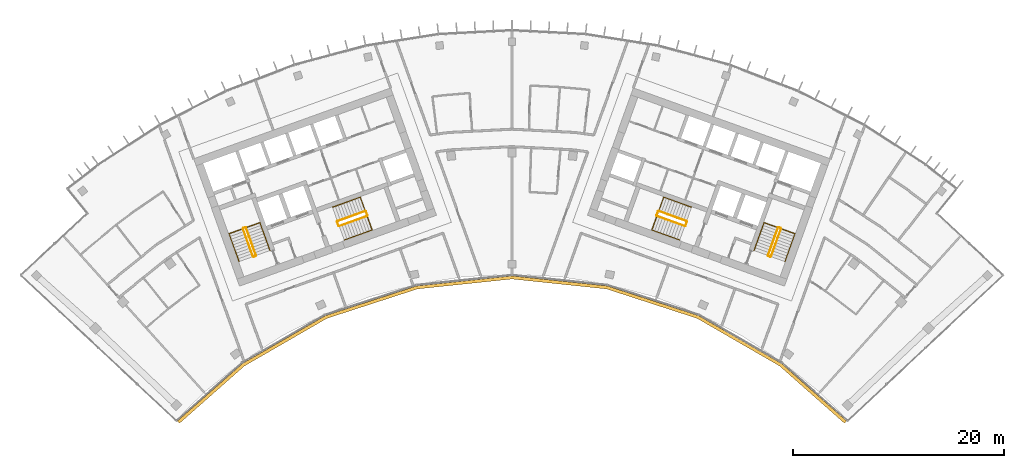
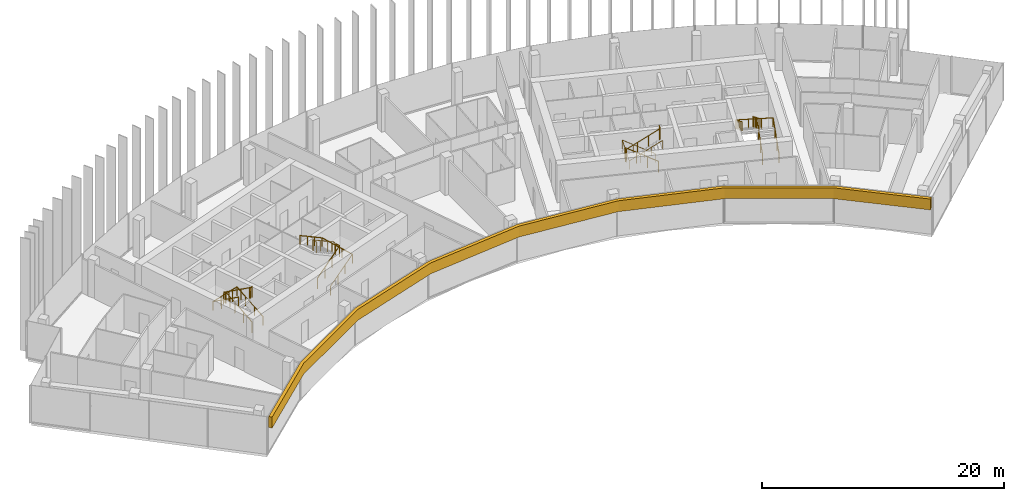
# One storey, part 19 of 19: 12 railings, 1 covering.
"""IFC4 building model written with IfcOpenShell, lengths in metres."""

from ifc_helpers import new_model, si_unit, direction, frame, origin, origin_2d, place, context, subcontext, project, spatial, polyline, circle, outline, extrude, material, layer, layer_set, type_object, element, save


model = new_model("IFC4")

# Units and contexts
model_context = context("Model", 3, precision=1e-05, world=origin(), true_north=direction((0.0, 1.0)))
body_context = subcontext(model_context, "Body", "Model", "MODEL_VIEW")
ifc_project = project(units=[si_unit("LENGTHUNIT", "METRE"), si_unit("AREAUNIT", "SQUARE_METRE"), si_unit("VOLUMEUNIT", "CUBIC_METRE"), si_unit("PLANEANGLEUNIT", "RADIAN"), si_unit("MASSUNIT", "GRAM", prefix="KILO")], contexts=[model_context])

# Site, building, storey
site_placement = place(None, origin())
site = spatial("IfcSite", under=ifc_project, at=site_placement, CompositionType="ELEMENT")
building_placement = place(site_placement, origin())
building = spatial("IfcBuilding", under=site, at=building_placement, Name="Stone Belt Terrace Tower", CompositionType="ELEMENT")
storey_placement = place(building_placement, frame((0.0, 0.0, 280.800048828125)))
storey = spatial("IfcBuildingStorey", under=building, at=storey_placement, Name="L68", CompositionType="ELEMENT", Elevation=280.800048828125)

# Railings
ifc_material_1 = material(Name="Structural steel C345", Category="steel")
railing_type_1 = type_object("IfcRailingType", Name="Stair guard 1100", PredefinedType="GUARDRAIL", material=ifc_material_1)
railing_1_placement = place(storey_placement, frame((-24.2119140625, 45.276123046875, 0.172607421875)))
element("IfcRailing", 1, at=railing_1_placement, inside=storey, type_object=railing_type_1, Name="L68 ST1A stair guard 1", PredefinedType="GUARDRAIL", context=body_context, shape_type="SweptSolid", body=[
    extrude(circle(Radius=0.02392578125, at=origin_2d()), frame((0.0, 0.0, 1.076171875), z_axis=(-0.288228637646, 0.800791768495, 0.525030280985), x_axis=(-0.940908529223, -0.338660803216, 0.0)), (0.0, 0.0, 1.0), 3.289794921875),
    extrude(circle(Radius=0.02392578125, at=origin_2d()), frame((-0.9482421875, 2.634521484375, 2.80322265625), z_axis=(-0.905209821074, 0.424964916, 0.0), x_axis=(-0.424964916, -0.905209821074, 0.0)), (0.0, 0.0, 1.0), 0.070556640625),
    extrude(circle(Radius=0.02392578125, at=origin_2d()), frame((-1.01220703125, 2.66455078125, 2.80322265625), z_axis=(-0.941105063269, -0.338114270461, 0.0), x_axis=(0.338114270461, -0.941105063269, 0.0)), (0.0, 0.0, 1.0), 0.199951171875),
    extrude(circle(Radius=0.02099609375, at=origin_2d()), origin(), (0.0, 0.0, 1.0), 1.052001953125),
    extrude(circle(Radius=0.02099609375, at=origin_2d()), frame((-0.316162109375, 0.878173828125, 0.57568359375)), (0.0, 0.0, 1.0), 1.052001953125),
    extrude(circle(Radius=0.02099609375, at=origin_2d()), frame((-0.632080078125, 1.75634765625, 1.151611328125)), (0.0, 0.0, 1.0), 1.052001953125),
    extrude(circle(Radius=0.02099609375, at=origin_2d()), frame((-0.9482421875, 2.634521484375, 1.727294921875)), (0.0, 0.0, 1.0), 1.052001953125),
    extrude(circle(Radius=0.02099609375, at=origin_2d()), frame((-1.01220703125, 2.66455078125, 1.727294921875)), (0.0, 0.0, 1.0), 1.052001953125),
    extrude(circle(Radius=0.02099609375, at=origin_2d()), frame((-1.200439453125, 2.596923828125, 1.727294921875)), (0.0, 0.0, 1.0), 1.052001953125),
])
railing_2_placement = place(storey_placement, frame((-25.4423828125, 47.80908203125, 2.07275390625)))
element("IfcRailing", 2, at=railing_2_placement, inside=storey, type_object=railing_type_1, Name="L68 ST1A stair guard 2", PredefinedType="GUARDRAIL", context=body_context, shape_type="SweptSolid", body=[
    extrude(circle(Radius=0.02392578125, at=origin_2d()), frame((0.0, 0.0, 1.076171875), z_axis=(0.288228637646, -0.800791768495, 0.525030280985), x_axis=(0.940908529223, 0.338660803216, 0.0)), (0.0, 0.0, 1.0), 3.289794921875),
    extrude(circle(Radius=0.02392578125, at=origin_2d()), frame((0.9482421875, -2.634521484375, 2.80322265625), z_axis=(0.903878284585, -0.427789722475, 0.0), x_axis=(0.427789722475, 0.903878284585, 0.0)), (0.0, 0.0, 1.0), 0.07080078125),
    extrude(circle(Radius=0.02392578125, at=origin_2d()), frame((1.01220703125, -2.664794921875, 2.80322265625), z_axis=(0.940575576748, 0.339584429008, 0.0), x_axis=(-0.339584429008, 0.940575576748, 0.0)), (0.0, 0.0, 1.0), 0.199951171875),
    extrude(circle(Radius=0.02099609375, at=origin_2d()), origin(), (0.0, 0.0, 1.0), 1.052001953125),
    extrude(circle(Radius=0.02099609375, at=origin_2d()), frame((0.316162109375, -0.878173828125, 0.57568359375)), (0.0, 0.0, 1.0), 1.052001953125),
    extrude(circle(Radius=0.02099609375, at=origin_2d()), frame((0.632080078125, -1.75634765625, 1.151611328125)), (0.0, 0.0, 1.0), 1.052001953125),
    extrude(circle(Radius=0.02099609375, at=origin_2d()), frame((0.9482421875, -2.634521484375, 1.727294921875)), (0.0, 0.0, 1.0), 1.052001953125),
    extrude(circle(Radius=0.02099609375, at=origin_2d()), frame((1.01220703125, -2.664794921875, 1.727294921875)), (0.0, 0.0, 1.0), 1.052001953125),
    extrude(circle(Radius=0.02099609375, at=origin_2d()), frame((1.2001953125, -2.596923828125, 1.727294921875)), (0.0, 0.0, 1.0), 1.052001953125),
])
railing_3_placement = place(storey_placement, frame((-16.33837890625, 48.056640625, 0.172607421875)))
element("IfcRailing", 3, at=railing_3_placement, inside=storey, type_object=railing_type_1, Name="L68 ST2A stair guard 1", PredefinedType="GUARDRAIL", context=body_context, shape_type="SweptSolid", body=[
    extrude(circle(Radius=0.02392578125, at=origin_2d()), frame((0.0, 0.0, 1.076171875), z_axis=(0.800808895155, 0.288160591223, 0.52504150989), x_axis=(-0.338583606334, 0.940936311087, 0.0)), (0.0, 0.0, 1.0), 3.289794921875),
    extrude(circle(Radius=0.02392578125, at=origin_2d()), frame((2.634521484375, 0.947998046875, 2.80322265625), z_axis=(0.427789722475, 0.903878284585, 0.0), x_axis=(-0.903878284585, 0.427789722475, 0.0)), (0.0, 0.0, 1.0), 0.07080078125),
    extrude(circle(Radius=0.02392578125, at=origin_2d()), frame((2.664794921875, 1.011962890625, 2.80322265625), z_axis=(-0.338654645739, 0.940910745459, 0.0), x_axis=(-0.940910745459, -0.338654645739, 0.0)), (0.0, 0.0, 1.0), 0.400146484375),
    extrude(circle(Radius=0.02099609375, at=origin_2d()), origin(), (0.0, 0.0, 1.0), 1.052001953125),
    extrude(circle(Radius=0.02099609375, at=origin_2d()), frame((0.878173828125, 0.31591796875, 0.57568359375)), (0.0, 0.0, 1.0), 1.052001953125),
    extrude(circle(Radius=0.02099609375, at=origin_2d()), frame((1.75634765625, 0.632080078125, 1.151611328125)), (0.0, 0.0, 1.0), 1.052001953125),
    extrude(circle(Radius=0.02099609375, at=origin_2d()), frame((2.634521484375, 0.947998046875, 1.727294921875)), (0.0, 0.0, 1.0), 1.052001953125),
    extrude(circle(Radius=0.02099609375, at=origin_2d()), frame((2.664794921875, 1.011962890625, 1.727294921875)), (0.0, 0.0, 1.0), 1.052001953125),
    extrude(circle(Radius=0.02099609375, at=origin_2d()), frame((2.529296875, 1.388427734375, 1.727294921875)), (0.0, 0.0, 1.0), 1.052001953125),
])
railing_4_placement = place(storey_placement, frame((-13.873046875, 49.47509765625, 2.07275390625)))
element("IfcRailing", 4, at=railing_4_placement, inside=storey, type_object=railing_type_1, Name="L68 ST2A stair guard 2", PredefinedType="GUARDRAIL", context=body_context, shape_type="SweptSolid", body=[
    extrude(circle(Radius=0.02392578125, at=origin_2d()), frame((0.0, 0.0, 1.076171875), z_axis=(-0.800808895155, -0.288160591223, 0.52504150989), x_axis=(0.338583606334, -0.940936311087, 0.0)), (0.0, 0.0, 1.0), 3.289794921875),
    extrude(circle(Radius=0.02392578125, at=origin_2d()), frame((-2.634521484375, -0.947998046875, 2.80322265625), z_axis=(-0.427789722475, -0.903878284585, 0.0), x_axis=(0.903878284585, -0.427789722475, 0.0)), (0.0, 0.0, 1.0), 0.07080078125),
    extrude(circle(Radius=0.02392578125, at=origin_2d()), frame((-2.664794921875, -1.011962890625, 2.80322265625), z_axis=(0.338654645739, -0.940910745459, 0.0), x_axis=(0.940910745459, 0.338654645739, 0.0)), (0.0, 0.0, 1.0), 0.400146484375),
    extrude(circle(Radius=0.02099609375, at=origin_2d()), origin(), (0.0, 0.0, 1.0), 1.052001953125),
    extrude(circle(Radius=0.02099609375, at=origin_2d()), frame((-0.878173828125, -0.31591796875, 0.57568359375)), (0.0, 0.0, 1.0), 1.052001953125),
    extrude(circle(Radius=0.02099609375, at=origin_2d()), frame((-1.75634765625, -0.632080078125, 1.151611328125)), (0.0, 0.0, 1.0), 1.052001953125),
    extrude(circle(Radius=0.02099609375, at=origin_2d()), frame((-2.634521484375, -0.947998046875, 1.727294921875)), (0.0, 0.0, 1.0), 1.052001953125),
    extrude(circle(Radius=0.02099609375, at=origin_2d()), frame((-2.664794921875, -1.011962890625, 1.727294921875)), (0.0, 0.0, 1.0), 1.052001953125),
    extrude(circle(Radius=0.02099609375, at=origin_2d()), frame((-2.529296875, -1.388427734375, 1.727294921875)), (0.0, 0.0, 1.0), 1.052001953125),
])
railing_5_placement = place(storey_placement, frame((24.494140625, 45.174560546875, 0.172607421875)))
element("IfcRailing", 5, at=railing_5_placement, inside=storey, type_object=railing_type_1, Name="L68 ST1B stair guard 1", PredefinedType="GUARDRAIL", context=body_context, shape_type="SweptSolid", body=[
    extrude(circle(Radius=0.02392578125, at=origin_2d()), frame((0.0, 0.0, 1.076171875), z_axis=(0.288228637646, 0.800791768495, 0.525030280985), x_axis=(-0.940908529223, 0.338660803216, 0.0)), (0.0, 0.0, 1.0), 3.289794921875),
    extrude(circle(Radius=0.02392578125, at=origin_2d()), frame((0.9482421875, 2.634521484375, 2.80322265625), z_axis=(-0.424964916, 0.905209821074, 0.0), x_axis=(-0.905209821074, -0.424964916, 0.0)), (0.0, 0.0, 1.0), 0.070556640625),
    extrude(circle(Radius=0.02392578125, at=origin_2d()), frame((0.918212890625, 2.698486328125, 2.80322265625), z_axis=(-0.941105063269, 0.338114270461, 0.0), x_axis=(-0.338114270461, -0.941105063269, 0.0)), (0.0, 0.0, 1.0), 0.199951171875),
    extrude(circle(Radius=0.02099609375, at=origin_2d()), origin(), (0.0, 0.0, 1.0), 1.052001953125),
    extrude(circle(Radius=0.02099609375, at=origin_2d()), frame((0.316162109375, 0.878173828125, 0.57568359375)), (0.0, 0.0, 1.0), 1.052001953125),
    extrude(circle(Radius=0.02099609375, at=origin_2d()), frame((0.632080078125, 1.75634765625, 1.151611328125)), (0.0, 0.0, 1.0), 1.052001953125),
    extrude(circle(Radius=0.02099609375, at=origin_2d()), frame((0.9482421875, 2.634521484375, 1.727294921875)), (0.0, 0.0, 1.0), 1.052001953125),
    extrude(circle(Radius=0.02099609375, at=origin_2d()), frame((0.918212890625, 2.698486328125, 1.727294921875)), (0.0, 0.0, 1.0), 1.052001953125),
    extrude(circle(Radius=0.02099609375, at=origin_2d()), frame((0.72998046875, 2.76611328125, 1.727294921875)), (0.0, 0.0, 1.0), 1.052001953125),
])
railing_6_placement = place(storey_placement, frame((25.16015625, 47.91064453125, 2.07275390625)))
element("IfcRailing", 6, at=railing_6_placement, inside=storey, type_object=railing_type_1, Name="L68 ST1B stair guard 2", PredefinedType="GUARDRAIL", context=body_context, shape_type="SweptSolid", body=[
    extrude(circle(Radius=0.02392578125, at=origin_2d()), frame((0.0, 0.0, 1.076171875), z_axis=(-0.288228637646, -0.800791768495, 0.525030280985), x_axis=(0.940908529223, -0.338660803216, 0.0)), (0.0, 0.0, 1.0), 3.289794921875),
    extrude(circle(Radius=0.02392578125, at=origin_2d()), frame((-0.9482421875, -2.634521484375, 2.80322265625), z_axis=(0.427789722475, -0.903878284585, 0.0), x_axis=(0.903878284585, 0.427789722475, 0.0)), (0.0, 0.0, 1.0), 0.07080078125),
    extrude(circle(Radius=0.02392578125, at=origin_2d()), frame((-0.91796875, -2.698486328125, 2.80322265625), z_axis=(0.940575576748, -0.339584429008, 0.0), x_axis=(0.339584429008, 0.940575576748, 0.0)), (0.0, 0.0, 1.0), 0.199951171875),
    extrude(circle(Radius=0.02099609375, at=origin_2d()), origin(), (0.0, 0.0, 1.0), 1.052001953125),
    extrude(circle(Radius=0.02099609375, at=origin_2d()), frame((-0.316162109375, -0.878173828125, 0.57568359375)), (0.0, 0.0, 1.0), 1.052001953125),
    extrude(circle(Radius=0.02099609375, at=origin_2d()), frame((-0.632080078125, -1.75634765625, 1.151611328125)), (0.0, 0.0, 1.0), 1.052001953125),
    extrude(circle(Radius=0.02099609375, at=origin_2d()), frame((-0.9482421875, -2.634521484375, 1.727294921875)), (0.0, 0.0, 1.0), 1.052001953125),
    extrude(circle(Radius=0.02099609375, at=origin_2d()), frame((-0.91796875, -2.698486328125, 1.727294921875)), (0.0, 0.0, 1.0), 1.052001953125),
    extrude(circle(Radius=0.02099609375, at=origin_2d()), frame((-0.72998046875, -2.766357421875, 1.727294921875)), (0.0, 0.0, 1.0), 1.052001953125),
])
railing_7_placement = place(storey_placement, frame((16.507568359375, 48.527099609375, 0.172607421875)))
element("IfcRailing", 7, at=railing_7_placement, inside=storey, type_object=railing_type_1, Name="L68 ST2B stair guard 1", PredefinedType="GUARDRAIL", context=body_context, shape_type="SweptSolid", body=[
    extrude(circle(Radius=0.02392578125, at=origin_2d()), frame((0.0, 0.0, 1.076171875), z_axis=(-0.800808895155, 0.288160591223, 0.52504150989), x_axis=(-0.338583606334, -0.940936311087, 0.0)), (0.0, 0.0, 1.0), 3.289794921875),
    extrude(circle(Radius=0.02392578125, at=origin_2d()), frame((-2.634521484375, 0.947998046875, 2.80322265625), z_axis=(-0.905209821074, -0.424964916, 0.0), x_axis=(0.424964916, -0.905209821074, 0.0)), (0.0, 0.0, 1.0), 0.070556640625),
    extrude(circle(Radius=0.02392578125, at=origin_2d()), frame((-2.698486328125, 0.91796875, 2.80322265625), z_axis=(-0.338654645739, -0.940910745459, 0.0), x_axis=(0.940910745459, -0.338654645739, 0.0)), (0.0, 0.0, 1.0), 0.400146484375),
    extrude(circle(Radius=0.02099609375, at=origin_2d()), origin(), (0.0, 0.0, 1.0), 1.052001953125),
    extrude(circle(Radius=0.02099609375, at=origin_2d()), frame((-0.878173828125, 0.31591796875, 0.57568359375)), (0.0, 0.0, 1.0), 1.052001953125),
    extrude(circle(Radius=0.02099609375, at=origin_2d()), frame((-1.75634765625, 0.632080078125, 1.151611328125)), (0.0, 0.0, 1.0), 1.052001953125),
    extrude(circle(Radius=0.02099609375, at=origin_2d()), frame((-2.634521484375, 0.947998046875, 1.727294921875)), (0.0, 0.0, 1.0), 1.052001953125),
    extrude(circle(Radius=0.02099609375, at=origin_2d()), frame((-2.698486328125, 0.91796875, 1.727294921875)), (0.0, 0.0, 1.0), 1.052001953125),
    extrude(circle(Radius=0.02099609375, at=origin_2d()), frame((-2.833984375, 0.54150390625, 1.727294921875)), (0.0, 0.0, 1.0), 1.052001953125),
])
railing_8_placement = place(storey_placement, frame((13.703857421875, 49.004638671875, 2.07275390625)))
element("IfcRailing", 8, at=railing_8_placement, inside=storey, type_object=railing_type_1, Name="L68 ST2B stair guard 2", PredefinedType="GUARDRAIL", context=body_context, shape_type="SweptSolid", body=[
    extrude(circle(Radius=0.02392578125, at=origin_2d()), frame((0.0, 0.0, 1.076171875), z_axis=(0.800808895155, -0.288160591223, 0.52504150989), x_axis=(0.338583606334, 0.940936311087, 0.0)), (0.0, 0.0, 1.0), 3.289794921875),
    extrude(circle(Radius=0.02392578125, at=origin_2d()), frame((2.634521484375, -0.947998046875, 2.80322265625), z_axis=(0.905209821074, 0.424964916, 0.0), x_axis=(-0.424964916, 0.905209821074, 0.0)), (0.0, 0.0, 1.0), 0.070556640625),
    extrude(circle(Radius=0.02392578125, at=origin_2d()), frame((2.698486328125, -0.91796875, 2.80322265625), z_axis=(0.338654645739, 0.940910745459, 0.0), x_axis=(-0.940910745459, 0.338654645739, 0.0)), (0.0, 0.0, 1.0), 0.400146484375),
    extrude(circle(Radius=0.02099609375, at=origin_2d()), origin(), (0.0, 0.0, 1.0), 1.052001953125),
    extrude(circle(Radius=0.02099609375, at=origin_2d()), frame((0.878173828125, -0.31591796875, 0.57568359375)), (0.0, 0.0, 1.0), 1.052001953125),
    extrude(circle(Radius=0.02099609375, at=origin_2d()), frame((1.75634765625, -0.632080078125, 1.151611328125)), (0.0, 0.0, 1.0), 1.052001953125),
    extrude(circle(Radius=0.02099609375, at=origin_2d()), frame((2.634521484375, -0.947998046875, 1.727294921875)), (0.0, 0.0, 1.0), 1.052001953125),
    extrude(circle(Radius=0.02099609375, at=origin_2d()), frame((2.698486328125, -0.91796875, 1.727294921875)), (0.0, 0.0, 1.0), 1.052001953125),
    extrude(circle(Radius=0.02099609375, at=origin_2d()), frame((2.833984375, -0.54150390625, 1.727294921875)), (0.0, 0.0, 1.0), 1.052001953125),
])
railing_type_2 = type_object("IfcRailingType", Name="Stair handrail 900", PredefinedType="HANDRAIL", material=ifc_material_1)
railing_9_placement = place(storey_placement, frame((-22.894775390625, 45.750244140625, 0.172607421875)))
element("IfcRailing", 9, at=railing_9_placement, inside=storey, type_object=railing_type_2, Name="L68 ST1A stair handrail 1", PredefinedType="HANDRAIL", context=body_context, shape_type="SweptSolid", body=[
    extrude(circle(Radius=0.02392578125, at=origin_2d()), frame((0.0, 0.0, 0.8759765625), z_axis=(-0.288160591223, 0.800808895155, 0.52504150989), x_axis=(-0.940936311087, -0.338583606334, 0.0)), (0.0, 0.0, 1.0), 3.289794921875),
    extrude(circle(Radius=0.02392578125, at=origin_2d()), frame((-0.947998046875, 2.634521484375, 2.60302734375), z_axis=(-0.939460408074, -0.338105101667, 0.055669398135), x_axis=(0.338630230244, -0.940919532779, 0.0)), (0.0, 0.0, 1.0), 3.10498046875),
    extrude(circle(Radius=0.02392578125, at=origin_2d()), frame((-3.864990234375, 1.584716796875, 2.77587890625), z_axis=(0.288228637646, -0.800791768495, 0.525030280985), x_axis=(0.940908529223, 0.338660803216, 0.0)), (0.0, 0.0, 1.0), 3.289794921875),
    extrude(circle(Radius=0.02099609375, at=origin_2d()), origin(), (0.0, 0.0, 1.0), 0.851806640625),
    extrude(circle(Radius=0.02099609375, at=origin_2d()), frame((-0.31591796875, 0.878173828125, 0.57568359375)), (0.0, 0.0, 1.0), 0.851806640625),
    extrude(circle(Radius=0.02099609375, at=origin_2d()), frame((-0.632080078125, 1.75634765625, 1.151611328125)), (0.0, 0.0, 1.0), 0.851806640625),
    extrude(circle(Radius=0.02099609375, at=origin_2d()), frame((-0.947998046875, 2.634521484375, 1.727294921875)), (0.0, 0.0, 1.0), 0.851806640625),
    extrude(circle(Radius=0.02099609375, at=origin_2d()), frame((-1.92041015625, 2.28466796875, 1.784912109375)), (0.0, 0.0, 1.0), 0.851806640625),
    extrude(circle(Radius=0.02099609375, at=origin_2d()), frame((-2.892578125, 1.9345703125, 1.842529296875)), (0.0, 0.0, 1.0), 0.851806640625),
    extrude(circle(Radius=0.02099609375, at=origin_2d()), frame((-3.864990234375, 1.584716796875, 1.900146484375)), (0.0, 0.0, 1.0), 0.851806640625),
    extrude(circle(Radius=0.02099609375, at=origin_2d()), frame((-3.548828125, 0.70654296875, 2.475830078125)), (0.0, 0.0, 1.0), 0.851806640625),
    extrude(circle(Radius=0.02099609375, at=origin_2d()), frame((-3.23291015625, -0.171630859375, 3.0517578125)), (0.0, 0.0, 1.0), 0.851806640625),
    extrude(circle(Radius=0.02099609375, at=origin_2d()), frame((-2.916748046875, -1.0498046875, 3.62744140625)), (0.0, 0.0, 1.0), 0.851806640625),
])
railing_10_placement = place(storey_placement, frame((-15.8642578125, 46.7392578125, 0.172607421875)))
element("IfcRailing", 10, at=railing_10_placement, inside=storey, type_object=railing_type_2, Name="L68 ST2A stair handrail 1", PredefinedType="HANDRAIL", context=body_context, shape_type="SweptSolid", body=[
    extrude(circle(Radius=0.02392578125, at=origin_2d()), frame((0.0, 0.0, 0.8759765625), z_axis=(0.800791768495, 0.288228637646, 0.525030280985), x_axis=(-0.338660803216, 0.940908529223, 0.0)), (0.0, 0.0, 1.0), 3.289794921875),
    extrude(circle(Radius=0.02392578125, at=origin_2d()), frame((2.634521484375, 0.9482421875, 2.60302734375), z_axis=(-0.338158948057, 0.939634149308, 0.052308615955), x_axis=(-0.940922302781, -0.338622533404, 0.0)), (0.0, 0.0, 1.0), 3.304443359375),
    extrude(circle(Radius=0.02392578125, at=origin_2d()), frame((1.51708984375, 4.05322265625, 2.77587890625), z_axis=(-0.800791768495, -0.288228637646, 0.525030280985), x_axis=(0.338660803216, -0.940908529223, 0.0)), (0.0, 0.0, 1.0), 3.289794921875),
    extrude(circle(Radius=0.02099609375, at=origin_2d()), origin(), (0.0, 0.0, 1.0), 0.851806640625),
    extrude(circle(Radius=0.02099609375, at=origin_2d()), frame((0.878173828125, 0.316162109375, 0.57568359375)), (0.0, 0.0, 1.0), 0.851806640625),
    extrude(circle(Radius=0.02099609375, at=origin_2d()), frame((1.75634765625, 0.632080078125, 1.151611328125)), (0.0, 0.0, 1.0), 0.851806640625),
    extrude(circle(Radius=0.02099609375, at=origin_2d()), frame((2.634521484375, 0.9482421875, 1.727294921875)), (0.0, 0.0, 1.0), 0.851806640625),
    extrude(circle(Radius=0.02099609375, at=origin_2d()), frame((2.261962890625, 1.983154296875, 1.784912109375)), (0.0, 0.0, 1.0), 0.851806640625),
    extrude(circle(Radius=0.02099609375, at=origin_2d()), frame((1.8896484375, 3.018310546875, 1.842529296875)), (0.0, 0.0, 1.0), 0.851806640625),
    extrude(circle(Radius=0.02099609375, at=origin_2d()), frame((1.51708984375, 4.05322265625, 1.900146484375)), (0.0, 0.0, 1.0), 0.851806640625),
    extrude(circle(Radius=0.02099609375, at=origin_2d()), frame((0.638916015625, 3.737060546875, 2.475830078125)), (0.0, 0.0, 1.0), 0.851806640625),
    extrude(circle(Radius=0.02099609375, at=origin_2d()), frame((-0.2392578125, 3.421142578125, 3.0517578125)), (0.0, 0.0, 1.0), 0.851806640625),
    extrude(circle(Radius=0.02099609375, at=origin_2d()), frame((-1.117431640625, 3.10498046875, 3.62744140625)), (0.0, 0.0, 1.0), 0.851806640625),
])
railing_11_placement = place(storey_placement, frame((25.8115234375, 44.700439453125, 0.172607421875)))
element("IfcRailing", 11, at=railing_11_placement, inside=storey, type_object=railing_type_2, Name="L68 ST1B stair handrail 1", PredefinedType="HANDRAIL", context=body_context, shape_type="SweptSolid", body=[
    extrude(circle(Radius=0.02392578125, at=origin_2d()), frame((0.0, 0.0, 0.8759765625), z_axis=(0.288228637646, 0.800791768495, 0.525030280985), x_axis=(-0.940908529223, 0.338660803216, 0.0)), (0.0, 0.0, 1.0), 3.289794921875),
    extrude(circle(Radius=0.02392578125, at=origin_2d()), frame((0.9482421875, 2.634521484375, 2.60302734375), z_axis=(-0.939460408074, 0.338105101667, 0.055669398135), x_axis=(-0.338630230244, -0.940919532779, 0.0)), (0.0, 0.0, 1.0), 3.10498046875),
    extrude(circle(Radius=0.02392578125, at=origin_2d()), frame((-1.96875, 3.684326171875, 2.77587890625), z_axis=(-0.288160591223, -0.800808895155, 0.52504150989), x_axis=(0.940936311087, -0.338583606334, 0.0)), (0.0, 0.0, 1.0), 3.289794921875),
    extrude(circle(Radius=0.02099609375, at=origin_2d()), origin(), (0.0, 0.0, 1.0), 0.851806640625),
    extrude(circle(Radius=0.02099609375, at=origin_2d()), frame((0.316162109375, 0.878173828125, 0.57568359375)), (0.0, 0.0, 1.0), 0.851806640625),
    extrude(circle(Radius=0.02099609375, at=origin_2d()), frame((0.632080078125, 1.75634765625, 1.151611328125)), (0.0, 0.0, 1.0), 0.851806640625),
    extrude(circle(Radius=0.02099609375, at=origin_2d()), frame((0.9482421875, 2.634521484375, 1.727294921875)), (0.0, 0.0, 1.0), 0.851806640625),
    extrude(circle(Radius=0.02099609375, at=origin_2d()), frame((-0.024169921875, 2.984375, 1.784912109375)), (0.0, 0.0, 1.0), 0.851806640625),
    extrude(circle(Radius=0.02099609375, at=origin_2d()), frame((-0.996337890625, 3.33447265625, 1.842529296875)), (0.0, 0.0, 1.0), 0.851806640625),
    extrude(circle(Radius=0.02099609375, at=origin_2d()), frame((-1.96875, 3.684326171875, 1.900146484375)), (0.0, 0.0, 1.0), 0.851806640625),
    extrude(circle(Radius=0.02099609375, at=origin_2d()), frame((-2.28466796875, 2.80615234375, 2.475830078125)), (0.0, 0.0, 1.0), 0.851806640625),
    extrude(circle(Radius=0.02099609375, at=origin_2d()), frame((-2.600830078125, 1.927978515625, 3.0517578125)), (0.0, 0.0, 1.0), 0.851806640625),
    extrude(circle(Radius=0.02099609375, at=origin_2d()), frame((-2.916748046875, 1.0498046875, 3.62744140625)), (0.0, 0.0, 1.0), 0.851806640625),
])
railing_12_placement = place(storey_placement, frame((16.981689453125, 49.84423828125, 0.172607421875)))
element("IfcRailing", 12, at=railing_12_placement, inside=storey, type_object=railing_type_2, Name="L68 ST2B stair handrail 1", PredefinedType="HANDRAIL", context=body_context, shape_type="SweptSolid", body=[
    extrude(circle(Radius=0.02392578125, at=origin_2d()), frame((0.0, 0.0, 0.8759765625), z_axis=(-0.800791768495, 0.288228637646, 0.525030280985), x_axis=(-0.338660803216, -0.940908529223, 0.0)), (0.0, 0.0, 1.0), 3.289794921875),
    extrude(circle(Radius=0.02392578125, at=origin_2d()), frame((-2.634521484375, 0.9482421875, 2.60302734375), z_axis=(-0.338158948057, -0.939634149308, 0.052308615955), x_axis=(0.940922302781, -0.338622533404, 0.0)), (0.0, 0.0, 1.0), 3.304443359375),
    extrude(circle(Radius=0.02392578125, at=origin_2d()), frame((-3.751953125, -2.15673828125, 2.77587890625), z_axis=(0.800791768495, -0.288228637646, 0.525030280985), x_axis=(0.338660803216, 0.940908529223, 0.0)), (0.0, 0.0, 1.0), 3.289794921875),
    extrude(circle(Radius=0.02099609375, at=origin_2d()), origin(), (0.0, 0.0, 1.0), 0.851806640625),
    extrude(circle(Radius=0.02099609375, at=origin_2d()), frame((-0.878173828125, 0.316162109375, 0.57568359375)), (0.0, 0.0, 1.0), 0.851806640625),
    extrude(circle(Radius=0.02099609375, at=origin_2d()), frame((-1.75634765625, 0.632080078125, 1.151611328125)), (0.0, 0.0, 1.0), 0.851806640625),
    extrude(circle(Radius=0.02099609375, at=origin_2d()), frame((-2.634521484375, 0.9482421875, 1.727294921875)), (0.0, 0.0, 1.0), 0.851806640625),
    extrude(circle(Radius=0.02099609375, at=origin_2d()), frame((-3.007080078125, -0.086669921875, 1.784912109375)), (0.0, 0.0, 1.0), 0.851806640625),
    extrude(circle(Radius=0.02099609375, at=origin_2d()), frame((-3.37939453125, -1.121826171875, 1.842529296875)), (0.0, 0.0, 1.0), 0.851806640625),
    extrude(circle(Radius=0.02099609375, at=origin_2d()), frame((-3.751953125, -2.15673828125, 1.900146484375)), (0.0, 0.0, 1.0), 0.851806640625),
    extrude(circle(Radius=0.02099609375, at=origin_2d()), frame((-2.873779296875, -2.472900390625, 2.475830078125)), (0.0, 0.0, 1.0), 0.851806640625),
    extrude(circle(Radius=0.02099609375, at=origin_2d()), frame((-1.99560546875, -2.788818359375, 3.0517578125)), (0.0, 0.0, 1.0), 0.851806640625),
    extrude(circle(Radius=0.02099609375, at=origin_2d()), frame((-1.117431640625, -3.10498046875, 3.62744140625)), (0.0, 0.0, 1.0), 0.851806640625),
])

# Covering
ifc_material_2 = material(Name="Terracotta coloured glazed ceramic", Category="masonry")
ifc_layer = layer(ifc_material_2, 0.300048828125)
ifc_layer_set = layer_set([ifc_layer], Name="Terracotta spandrel band 300 x 1100")
covering_type = type_object("IfcCoveringType", Name="Terracotta spandrel band 300 x 1100", PredefinedType="CLADDING", material=ifc_layer_set)
covering_placement = place(storey_placement, frame((0.0, 0.0, 2.699951171875)))
element("IfcCovering", 13, at=covering_placement, inside=storey, type_object=covering_type, Name="BAND L68", PredefinedType="CLADDING", context=body_context, shape_type="SweptSolid", body=[
    extrude(outline(polyline([(-31.651611328125, 29.6220703125), (-25.480712890625, 35.06982421875), (-17.631591796875, 39.6015625), (-9.0126953125, 42.40185546875), (0.0, 43.34912109375), (9.0126953125, 42.40185546875), (17.631591796875, 39.6015625), (25.480712890625, 35.06982421875), (31.651611328125, 29.6220703125), (31.453125, 29.39697265625), (25.3046875, 34.824951171875), (17.509033203125, 39.325927734375), (8.9501953125, 42.10693359375), (0.0, 43.047607421875), (-8.9501953125, 42.10693359375), (-17.509033203125, 39.325927734375), (-25.3046875, 34.824951171875), (-31.453125, 29.39697265625), (-31.651611328125, 29.6220703125)])), origin(), (0.0, 0.0, 1.0), 1.10009765625),
])

save(model, "model.ifc")
